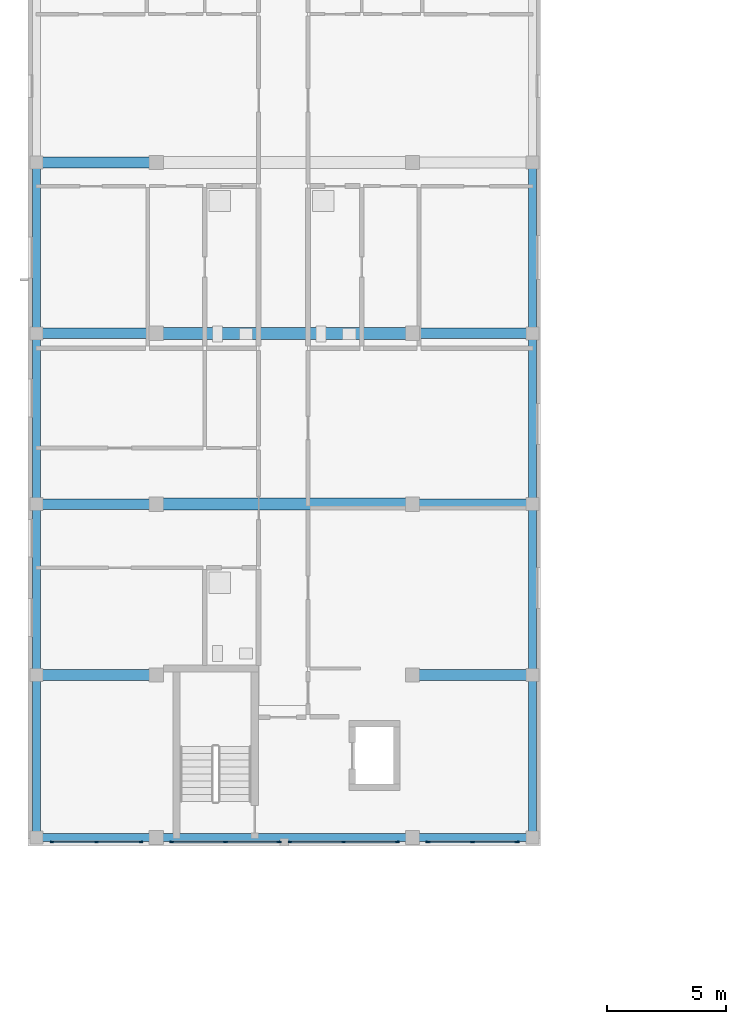
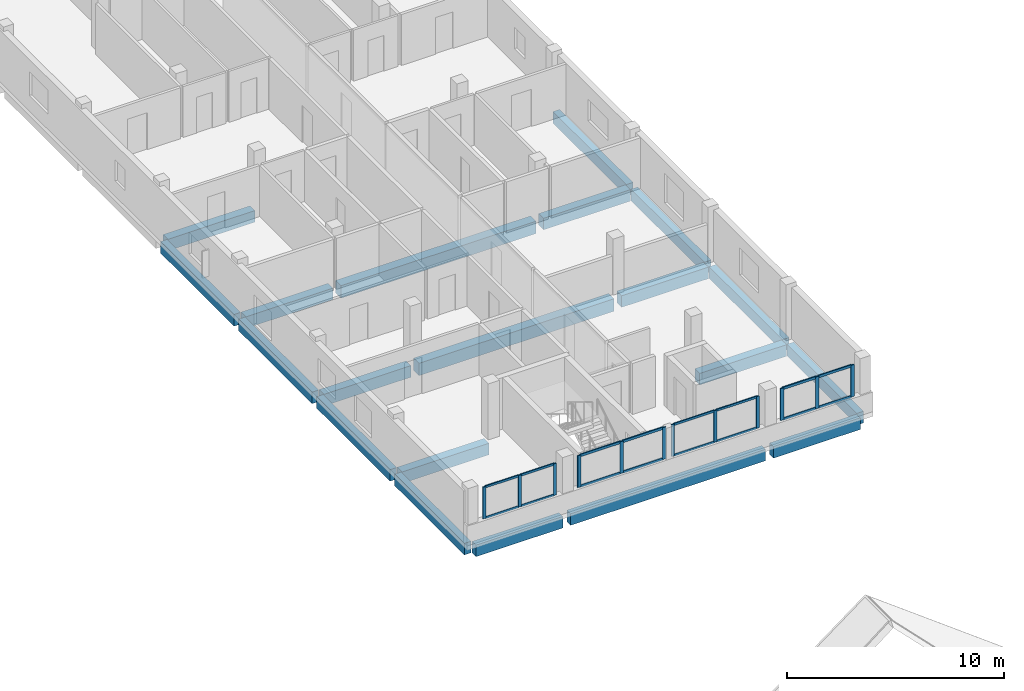
# One storey, part 4 of 35: 28 members, 20 beams, 4 elements without a shape of their own.
"""IFC4 building model written with IfcOpenShell, lengths in metres."""

from ifc_helpers import new_model, si_unit, derived_unit, direction, frame, origin, origin_2d, place, context, subcontext, project, spatial, rectangle, extrude, material, layer, layer_set, material_profile, profile_set, type_object, element, aggregate, save


model = new_model("IFC4")

# Units and contexts
model_context = context("Model", 3, precision=1e-05, world=origin(), true_north=direction((0.0, 1.0)))
body_context = subcontext(model_context, "Body", "Model", "MODEL_VIEW")
ifc_project = project(units=[si_unit("LENGTHUNIT", "METRE"), si_unit("AREAUNIT", "SQUARE_METRE"), si_unit("VOLUMEUNIT", "CUBIC_METRE"), si_unit("PLANEANGLEUNIT", "RADIAN"), si_unit("MASSUNIT", "GRAM", prefix="KILO"), derived_unit("THERMALTRANSMITTANCEUNIT", [(si_unit("MASSUNIT", "GRAM", prefix="KILO"), 1), (si_unit("TIMEUNIT", "SECOND"), -3), (si_unit("THERMODYNAMICTEMPERATUREUNIT", "KELVIN"), -1)])], contexts=[model_context])

# Site, building, storey
site_placement = place(None, origin())
site = spatial("IfcSite", under=ifc_project, at=site_placement, CompositionType="ELEMENT")
building_placement = place(site_placement, origin())
building = spatial("IfcBuilding", under=site, at=building_placement, Name="Ochrekiln Boulevard Commons", CompositionType="ELEMENT")
storey_placement = place(building_placement, frame((0.0, 0.0, 30.97509765625)))
storey = spatial("IfcBuildingStorey", under=building, at=storey_placement, Name="L09", CompositionType="ELEMENT", Elevation=30.97509765625)

# Beams
ifc_material_1 = material(Name="Concrete C35/45", Category="concrete")
ifc_material_profile_1 = material_profile(ifc_material_1, rectangle(XDim=0.449951171875, YDim=0.64990234375, at=origin_2d()), Name="RC-BM-450x650")
ifc_profile_set_1 = profile_set([ifc_material_profile_1], Name="Concrete C35/45")
beam_type_1 = type_object("IfcBeamType", Name="BM-RC-450x650", PredefinedType="BEAM", material=ifc_profile_set_1)
beam_1_placement = place(storey_placement, frame((0.56005859375, 75.60009765625, -0.585205078125), z_axis=(1.0, 0.0, 0.0), x_axis=(0.0, 1.0, 0.0)))
element("IfcBeam", 1, at=beam_1_placement, inside=storey, type_object=beam_type_1, Name="Block A L09 Beam B-4565 X4", PredefinedType="BEAM", context=body_context, shape_type="SweptSolid", body=[
    extrude(rectangle(XDim=0.449951171875, YDim=0.64990234375, at=origin_2d()), origin(), (0.0, 0.0, 1.0), 4.6298828125),
])
beam_2_placement = place(storey_placement, frame((16.409912109375, 75.60009765625, -0.585205078125), z_axis=(1.0, 0.0, 0.0), x_axis=(0.0, 1.0, 0.0)))
element("IfcBeam", 2, at=beam_2_placement, inside=storey, type_object=beam_type_1, Name="Block A L09 Beam B-4565 X5", PredefinedType="BEAM", context=body_context, shape_type="SweptSolid", body=[
    extrude(rectangle(XDim=0.449951171875, YDim=0.64990234375, at=origin_2d()), origin(), (0.0, 0.0, 1.0), 4.630126953125),
])
beam_3_placement = place(storey_placement, frame((0.56005859375, 82.800048828125, -0.585205078125), z_axis=(1.0, 0.0, 0.0), x_axis=(0.0, 1.0, 0.0)))
element("IfcBeam", 3, at=beam_3_placement, inside=storey, type_object=beam_type_1, Name="Block A L09 Beam B-4565 X6", PredefinedType="BEAM", context=body_context, shape_type="SweptSolid", body=[
    extrude(rectangle(XDim=0.449951171875, YDim=0.64990234375, at=origin_2d()), origin(), (0.0, 0.0, 1.0), 4.6298828125),
])
beam_4_placement = place(storey_placement, frame((16.409912109375, 82.800048828125, -0.585205078125), z_axis=(1.0, 0.0, 0.0), x_axis=(0.0, 1.0, 0.0)))
element("IfcBeam", 4, at=beam_4_placement, inside=storey, type_object=beam_type_1, Name="Block A L09 Beam B-4565 X8", PredefinedType="BEAM", context=body_context, shape_type="SweptSolid", body=[
    extrude(rectangle(XDim=0.449951171875, YDim=0.64990234375, at=origin_2d()), origin(), (0.0, 0.0, 1.0), 4.630126953125),
])
beam_5_placement = place(storey_placement, frame((0.56005859375, 90.0, -0.585205078125), z_axis=(1.0, 0.0, 0.0), x_axis=(0.0, 1.0, 0.0)))
element("IfcBeam", 5, at=beam_5_placement, inside=storey, type_object=beam_type_1, Name="Block A L09 Beam B-4565 X9", PredefinedType="BEAM", context=body_context, shape_type="SweptSolid", body=[
    extrude(rectangle(XDim=0.449951171875, YDim=0.64990234375, at=origin_2d()), origin(), (0.0, 0.0, 1.0), 4.6298828125),
])
beam_6_placement = place(storey_placement, frame((16.409912109375, 90.0, -0.585205078125), z_axis=(1.0, 0.0, 0.0), x_axis=(0.0, 1.0, 0.0)))
element("IfcBeam", 6, at=beam_6_placement, inside=storey, type_object=beam_type_1, Name="Block A L09 Beam B-4565 X11", PredefinedType="BEAM", context=body_context, shape_type="SweptSolid", body=[
    extrude(rectangle(XDim=0.449951171875, YDim=0.64990234375, at=origin_2d()), origin(), (0.0, 0.0, 1.0), 4.630126953125),
])
beam_7_placement = place(storey_placement, frame((0.56005859375, 97.199951171875, -0.585205078125), z_axis=(1.0, 0.0, 0.0), x_axis=(0.0, 1.0, 0.0)))
element("IfcBeam", 7, at=beam_7_placement, inside=storey, type_object=beam_type_1, Name="Block A L09 Beam B-4565 X12", PredefinedType="BEAM", context=body_context, shape_type="SweptSolid", body=[
    extrude(rectangle(XDim=0.449951171875, YDim=0.64990234375, at=origin_2d()), origin(), (0.0, 0.0, 1.0), 4.6298828125),
])
ifc_material_2 = material(Name="Concrete C40/50", Category="concrete")
ifc_material_profile_2 = material_profile(ifc_material_2, rectangle(XDim=0.5, YDim=0.699951171875, at=origin_2d()), Name="RC-BM-500x700")
ifc_profile_set_2 = profile_set([ifc_material_profile_2], Name="Concrete C40/50")
beam_type_2 = type_object("IfcBeamType", Name="BM-RC-500x700", PredefinedType="BEAM", material=ifc_profile_set_2)
for number, where, z_axis, x_axis, name in (
    (8, (5.610107421875, 82.800048828125, -0.610107421875), (1.0, 0.0, 0.0), (0.0, 1.0, 0.0), "Block A L09 Beam B-5070 X7"),
    (9, (5.610107421875, 90.0, -0.610107421875), (1.0, 0.0, 0.0), (0.0, 1.0, 0.0), "Block A L09 Beam B-5070 X10"),
):
    element("IfcBeam", number, at=place(storey_placement, frame(where, z_axis=z_axis, x_axis=x_axis)), inside=storey, type_object=beam_type_2, Name=name, PredefinedType="BEAM", context=body_context, shape_type="SweptSolid", body=[
        extrude(rectangle(XDim=0.5, YDim=0.699951171875, at=origin_2d()), origin(), (0.0, 0.0, 1.0), 10.3798828125),
    ])

# Curtain wall, members
ifc_material_3 = material(Name="Bronze-anodized extruded aluminium 6063-T6", Category="aluminium")
ifc_layer = layer(ifc_material_3, 0.172119140625)
ifc_layer_set = layer_set([ifc_layer], Name="Bronze-anodized extruded aluminium 6063-T6")
curtain_wall_type = type_object("IfcCurtainWallType", Name="CW-GABLE-A", PredefinedType="USERDEFINED", material=ifc_layer_set)
curtain_wall_1_placement = place(storey_placement, origin())
curtain_wall_1 = element("IfcCurtainWall", 10, at=curtain_wall_1_placement, inside=storey, type_object=curtain_wall_type, Name="Block A L09 Courtyard Glazed Gable Curtain Wall 1", ObjectType="GLAZED CURTAIN WALL", PredefinedType="USERDEFINED")
ifc_material_profile_3 = material_profile(ifc_material_3, rectangle(XDim=0.06005859375, YDim=0.159912109375, at=origin_2d()), Name="ALU-MUL-60x160")
ifc_profile_set_3 = profile_set([ifc_material_profile_3], Name="Bronze-anodized extruded aluminium 6063-T6")
member_type_1 = type_object("IfcMemberType", Name="CWM-60x160", PredefinedType="MULLION", material=ifc_profile_set_3)
member_1_placement = place(storey_placement, frame((1.0, 68.56005859375, 1.10986328125), z_axis=(0.0, 0.0, 1.0), x_axis=(0.0, 1.0, 0.0)))
member_1 = element("IfcMember", 11, at=member_1_placement, type_object=member_type_1, Name="CW-01 mullion 1", PredefinedType="MULLION", context=body_context, shape_type="SweptSolid", body=[
    extrude(rectangle(XDim=0.06005859375, YDim=0.159912109375, at=origin_2d()), origin(), (0.0, 0.0, 1.0), 1.7900390625),
])
member_2_placement = place(storey_placement, frame((2.875, 68.56005859375, 1.10986328125), z_axis=(0.0, 0.0, 1.0), x_axis=(0.0, 1.0, 0.0)))
member_2 = element("IfcMember", 12, at=member_2_placement, type_object=member_type_1, Name="CW-01 mullion 2", PredefinedType="MULLION", context=body_context, shape_type="SweptSolid", body=[
    extrude(rectangle(XDim=0.06005859375, YDim=0.159912109375, at=origin_2d()), origin(), (0.0, 0.0, 1.0), 1.7900390625),
])
member_3_placement = place(storey_placement, frame((4.75, 68.56005859375, 1.10986328125), z_axis=(0.0, 0.0, 1.0), x_axis=(0.0, 1.0, 0.0)))
member_3 = element("IfcMember", 13, at=member_3_placement, type_object=member_type_1, Name="CW-01 mullion 3", PredefinedType="MULLION", context=body_context, shape_type="SweptSolid", body=[
    extrude(rectangle(XDim=0.06005859375, YDim=0.159912109375, at=origin_2d()), origin(), (0.0, 0.0, 1.0), 1.7900390625),
])

curtain_wall_2_placement = place(storey_placement, origin())
curtain_wall_2 = element("IfcCurtainWall", 14, at=curtain_wall_2_placement, inside=storey, type_object=curtain_wall_type, Name="Block A L09 Courtyard Glazed Gable Curtain Wall 3", ObjectType="GLAZED CURTAIN WALL", PredefinedType="USERDEFINED")
member_4_placement = place(storey_placement, frame((11.030029296875, 68.56005859375, 1.10986328125), z_axis=(0.0, 0.0, 1.0), x_axis=(0.0, 1.0, 0.0)))
member_4 = element("IfcMember", 15, at=member_4_placement, type_object=member_type_1, Name="CW-01 mullion 1", PredefinedType="MULLION", context=body_context, shape_type="SweptSolid", body=[
    extrude(rectangle(XDim=0.06005859375, YDim=0.159912109375, at=origin_2d()), origin(), (0.0, 0.0, 1.0), 1.7900390625),
])
member_5_placement = place(storey_placement, frame((13.2900390625, 68.56005859375, 1.10986328125), z_axis=(0.0, 0.0, 1.0), x_axis=(0.0, 1.0, 0.0)))
member_5 = element("IfcMember", 16, at=member_5_placement, type_object=member_type_1, Name="CW-01 mullion 2", PredefinedType="MULLION", context=body_context, shape_type="SweptSolid", body=[
    extrude(rectangle(XDim=0.06005859375, YDim=0.159912109375, at=origin_2d()), origin(), (0.0, 0.0, 1.0), 1.7900390625),
])
member_6_placement = place(storey_placement, frame((15.550048828125, 68.56005859375, 1.10986328125), z_axis=(0.0, 0.0, 1.0), x_axis=(0.0, 1.0, 0.0)))
member_6 = element("IfcMember", 17, at=member_6_placement, type_object=member_type_1, Name="CW-01 mullion 3", PredefinedType="MULLION", context=body_context, shape_type="SweptSolid", body=[
    extrude(rectangle(XDim=0.06005859375, YDim=0.159912109375, at=origin_2d()), origin(), (0.0, 0.0, 1.0), 1.7900390625),
])

curtain_wall_3_placement = place(storey_placement, origin())
curtain_wall_3 = element("IfcCurtainWall", 18, at=curtain_wall_3_placement, inside=storey, type_object=curtain_wall_type, Name="Block A L09 Courtyard Glazed Gable Curtain Wall 2", ObjectType="GLAZED CURTAIN WALL", PredefinedType="USERDEFINED")
ifc_material_profile_4 = material_profile(ifc_material_3, rectangle(XDim=0.06494140625, YDim=0.179931640625, at=origin_2d()), Name="ALU-MUL-65x180")
ifc_profile_set_4 = profile_set([ifc_material_profile_4], Name="Bronze-anodized extruded aluminium 6063-T6")
member_type_2 = type_object("IfcMemberType", Name="CWM-65x180", PredefinedType="MULLION", material=ifc_profile_set_4)
member_7_placement = place(storey_placement, frame((6.052490234375, 68.56005859375, 1.10986328125), z_axis=(0.0, 0.0, 1.0), x_axis=(0.0, 1.0, 0.0)))
member_7 = element("IfcMember", 19, at=member_7_placement, type_object=member_type_2, Name="CW-01 mullion 1", PredefinedType="MULLION", context=body_context, shape_type="SweptSolid", body=[
    extrude(rectangle(XDim=0.06494140625, YDim=0.179931640625, at=origin_2d()), origin(), (0.0, 0.0, 1.0), 1.7900390625),
])
member_8_placement = place(storey_placement, frame((8.31005859375, 68.56005859375, 1.10986328125), z_axis=(0.0, 0.0, 1.0), x_axis=(0.0, 1.0, 0.0)))
member_8 = element("IfcMember", 20, at=member_8_placement, type_object=member_type_2, Name="CW-01 mullion 2", PredefinedType="MULLION", context=body_context, shape_type="SweptSolid", body=[
    extrude(rectangle(XDim=0.06494140625, YDim=0.179931640625, at=origin_2d()), origin(), (0.0, 0.0, 1.0), 1.7900390625),
])
member_9_placement = place(storey_placement, frame((10.5673828125, 68.56005859375, 1.10986328125), z_axis=(0.0, 0.0, 1.0), x_axis=(0.0, 1.0, 0.0)))
member_9 = element("IfcMember", 21, at=member_9_placement, type_object=member_type_2, Name="CW-01 mullion 3", PredefinedType="MULLION", context=body_context, shape_type="SweptSolid", body=[
    extrude(rectangle(XDim=0.06494140625, YDim=0.179931640625, at=origin_2d()), origin(), (0.0, 0.0, 1.0), 1.7900390625),
])

curtain_wall_4_placement = place(storey_placement, origin())
curtain_wall_4 = element("IfcCurtainWall", 22, at=curtain_wall_4_placement, inside=storey, type_object=curtain_wall_type, Name="Block A L09 Courtyard Glazed Gable Curtain Wall 4", ObjectType="GLAZED CURTAIN WALL", PredefinedType="USERDEFINED")
member_10_placement = place(storey_placement, frame((16.8525390625, 68.56005859375, 1.10986328125), z_axis=(0.0, 0.0, 1.0), x_axis=(0.0, 1.0, 0.0)))
member_10 = element("IfcMember", 23, at=member_10_placement, type_object=member_type_2, Name="CW-01 mullion 1", PredefinedType="MULLION", context=body_context, shape_type="SweptSolid", body=[
    extrude(rectangle(XDim=0.06494140625, YDim=0.179931640625, at=origin_2d()), origin(), (0.0, 0.0, 1.0), 1.7900390625),
])
member_11_placement = place(storey_placement, frame((18.72509765625, 68.56005859375, 1.10986328125), z_axis=(0.0, 0.0, 1.0), x_axis=(0.0, 1.0, 0.0)))
member_11 = element("IfcMember", 24, at=member_11_placement, type_object=member_type_2, Name="CW-01 mullion 2", PredefinedType="MULLION", context=body_context, shape_type="SweptSolid", body=[
    extrude(rectangle(XDim=0.06494140625, YDim=0.179931640625, at=origin_2d()), origin(), (0.0, 0.0, 1.0), 1.7900390625),
])
member_12_placement = place(storey_placement, frame((20.597412109375, 68.56005859375, 1.10986328125), z_axis=(0.0, 0.0, 1.0), x_axis=(0.0, 1.0, 0.0)))
member_12 = element("IfcMember", 25, at=member_12_placement, type_object=member_type_2, Name="CW-01 mullion 3", PredefinedType="MULLION", context=body_context, shape_type="SweptSolid", body=[
    extrude(rectangle(XDim=0.06494140625, YDim=0.179931640625, at=origin_2d()), origin(), (0.0, 0.0, 1.0), 1.7900390625),
])

# Member
ifc_material_profile_5 = material_profile(ifc_material_3, rectangle(XDim=0.06005859375, YDim=0.1201171875, at=origin_2d()), Name="ALU-TRN-60x120")
ifc_profile_set_5 = profile_set([ifc_material_profile_5], Name="Bronze-anodized extruded aluminium 6063-T6")
member_type_3 = type_object("IfcMemberType", Name="CWT-60x120", PredefinedType="USERDEFINED", material=ifc_profile_set_5)
member_13_placement = place(storey_placement, frame((1.030029296875, 68.56005859375, 1.139892578125), z_axis=(1.0, 0.0, 0.0), x_axis=(0.0, 1.0, 0.0)))
member_13 = element("IfcMember", 26, at=member_13_placement, type_object=member_type_3, Name="CW-01 transom 1.1", ObjectType="TRANSOM", PredefinedType="USERDEFINED", context=body_context, shape_type="SweptSolid", body=[
    extrude(rectangle(XDim=0.06005859375, YDim=0.1201171875, at=origin_2d()), origin(), (0.0, 0.0, 1.0), 1.81494140625),
])

member_14_placement = place(storey_placement, frame((1.030029296875, 68.56005859375, 2.869873046875), z_axis=(1.0, 0.0, 0.0), x_axis=(0.0, 1.0, 0.0)))
member_14 = element("IfcMember", 27, at=member_14_placement, type_object=member_type_3, Name="CW-01 transom 1.2", ObjectType="TRANSOM", PredefinedType="USERDEFINED", context=body_context, shape_type="SweptSolid", body=[
    extrude(rectangle(XDim=0.06005859375, YDim=0.1201171875, at=origin_2d()), origin(), (0.0, 0.0, 1.0), 1.81494140625),
])

member_15_placement = place(storey_placement, frame((2.905029296875, 68.56005859375, 1.139892578125), z_axis=(1.0, 0.0, 0.0), x_axis=(0.0, 1.0, 0.0)))
member_15 = element("IfcMember", 28, at=member_15_placement, type_object=member_type_3, Name="CW-01 transom 2.1", ObjectType="TRANSOM", PredefinedType="USERDEFINED", context=body_context, shape_type="SweptSolid", body=[
    extrude(rectangle(XDim=0.06005859375, YDim=0.1201171875, at=origin_2d()), origin(), (0.0, 0.0, 1.0), 1.81494140625),
])

member_16_placement = place(storey_placement, frame((2.905029296875, 68.56005859375, 2.869873046875), z_axis=(1.0, 0.0, 0.0), x_axis=(0.0, 1.0, 0.0)))
member_16 = element("IfcMember", 29, at=member_16_placement, type_object=member_type_3, Name="CW-01 transom 2.2", ObjectType="TRANSOM", PredefinedType="USERDEFINED", context=body_context, shape_type="SweptSolid", body=[
    extrude(rectangle(XDim=0.06005859375, YDim=0.1201171875, at=origin_2d()), origin(), (0.0, 0.0, 1.0), 1.81494140625),
])

aggregate(curtain_wall_1, [member_1, member_2, member_3, member_13, member_14, member_15, member_16])

member_17_placement = place(storey_placement, frame((11.06005859375, 68.56005859375, 1.139892578125), z_axis=(1.0, 0.0, 0.0), x_axis=(0.0, 1.0, 0.0)))
member_17 = element("IfcMember", 30, at=member_17_placement, type_object=member_type_3, Name="CW-01 transom 1.1", ObjectType="TRANSOM", PredefinedType="USERDEFINED", context=body_context, shape_type="SweptSolid", body=[
    extrude(rectangle(XDim=0.06005859375, YDim=0.1201171875, at=origin_2d()), origin(), (0.0, 0.0, 1.0), 2.199951171875),
])

member_18_placement = place(storey_placement, frame((11.06005859375, 68.56005859375, 2.869873046875), z_axis=(1.0, 0.0, 0.0), x_axis=(0.0, 1.0, 0.0)))
member_18 = element("IfcMember", 31, at=member_18_placement, type_object=member_type_3, Name="CW-01 transom 1.2", ObjectType="TRANSOM", PredefinedType="USERDEFINED", context=body_context, shape_type="SweptSolid", body=[
    extrude(rectangle(XDim=0.06005859375, YDim=0.1201171875, at=origin_2d()), origin(), (0.0, 0.0, 1.0), 2.199951171875),
])

member_19_placement = place(storey_placement, frame((13.320068359375, 68.56005859375, 1.139892578125), z_axis=(1.0, 0.0, 0.0), x_axis=(0.0, 1.0, 0.0)))
member_19 = element("IfcMember", 32, at=member_19_placement, type_object=member_type_3, Name="CW-01 transom 2.1", ObjectType="TRANSOM", PredefinedType="USERDEFINED", context=body_context, shape_type="SweptSolid", body=[
    extrude(rectangle(XDim=0.06005859375, YDim=0.1201171875, at=origin_2d()), origin(), (0.0, 0.0, 1.0), 2.199951171875),
])

member_20_placement = place(storey_placement, frame((13.320068359375, 68.56005859375, 2.869873046875), z_axis=(1.0, 0.0, 0.0), x_axis=(0.0, 1.0, 0.0)))
member_20 = element("IfcMember", 33, at=member_20_placement, type_object=member_type_3, Name="CW-01 transom 2.2", ObjectType="TRANSOM", PredefinedType="USERDEFINED", context=body_context, shape_type="SweptSolid", body=[
    extrude(rectangle(XDim=0.06005859375, YDim=0.1201171875, at=origin_2d()), origin(), (0.0, 0.0, 1.0), 2.199951171875),
])

aggregate(curtain_wall_2, [member_4, member_5, member_6, member_17, member_18, member_19, member_20])

ifc_material_profile_6 = material_profile(ifc_material_3, rectangle(XDim=0.06494140625, YDim=0.139892578125, at=origin_2d()), Name="ALU-TRN-65x140")
ifc_profile_set_6 = profile_set([ifc_material_profile_6], Name="Bronze-anodized extruded aluminium 6063-T6")
member_type_4 = type_object("IfcMemberType", Name="CWT-65x140", PredefinedType="USERDEFINED", material=ifc_profile_set_6)
member_21_placement = place(storey_placement, frame((6.0849609375, 68.56005859375, 1.142333984375), z_axis=(1.0, 0.0, 0.0), x_axis=(0.0, 1.0, 0.0)))
member_21 = element("IfcMember", 34, at=member_21_placement, type_object=member_type_4, Name="CW-01 transom 1.1", ObjectType="TRANSOM", PredefinedType="USERDEFINED", context=body_context, shape_type="SweptSolid", body=[
    extrude(rectangle(XDim=0.06494140625, YDim=0.139892578125, at=origin_2d()), origin(), (0.0, 0.0, 1.0), 2.192626953125),
])

member_22_placement = place(storey_placement, frame((6.0849609375, 68.56005859375, 2.867431640625), z_axis=(1.0, 0.0, 0.0), x_axis=(0.0, 1.0, 0.0)))
member_22 = element("IfcMember", 35, at=member_22_placement, type_object=member_type_4, Name="CW-01 transom 1.2", ObjectType="TRANSOM", PredefinedType="USERDEFINED", context=body_context, shape_type="SweptSolid", body=[
    extrude(rectangle(XDim=0.06494140625, YDim=0.139892578125, at=origin_2d()), origin(), (0.0, 0.0, 1.0), 2.192626953125),
])

member_23_placement = place(storey_placement, frame((8.342529296875, 68.56005859375, 1.142333984375), z_axis=(1.0, 0.0, 0.0), x_axis=(0.0, 1.0, 0.0)))
member_23 = element("IfcMember", 36, at=member_23_placement, type_object=member_type_4, Name="CW-01 transom 2.1", ObjectType="TRANSOM", PredefinedType="USERDEFINED", context=body_context, shape_type="SweptSolid", body=[
    extrude(rectangle(XDim=0.06494140625, YDim=0.139892578125, at=origin_2d()), origin(), (0.0, 0.0, 1.0), 2.1923828125),
])

member_24_placement = place(storey_placement, frame((8.342529296875, 68.56005859375, 2.867431640625), z_axis=(1.0, 0.0, 0.0), x_axis=(0.0, 1.0, 0.0)))
member_24 = element("IfcMember", 37, at=member_24_placement, type_object=member_type_4, Name="CW-01 transom 2.2", ObjectType="TRANSOM", PredefinedType="USERDEFINED", context=body_context, shape_type="SweptSolid", body=[
    extrude(rectangle(XDim=0.06494140625, YDim=0.139892578125, at=origin_2d()), origin(), (0.0, 0.0, 1.0), 2.1923828125),
])

aggregate(curtain_wall_3, [member_7, member_8, member_9, member_21, member_22, member_23, member_24])

member_25_placement = place(storey_placement, frame((16.885009765625, 68.56005859375, 1.142333984375), z_axis=(1.0, 0.0, 0.0), x_axis=(0.0, 1.0, 0.0)))
member_25 = element("IfcMember", 38, at=member_25_placement, type_object=member_type_4, Name="CW-01 transom 1.1", ObjectType="TRANSOM", PredefinedType="USERDEFINED", context=body_context, shape_type="SweptSolid", body=[
    extrude(rectangle(XDim=0.06494140625, YDim=0.139892578125, at=origin_2d()), origin(), (0.0, 0.0, 1.0), 1.807373046875),
])

member_26_placement = place(storey_placement, frame((16.885009765625, 68.56005859375, 2.867431640625), z_axis=(1.0, 0.0, 0.0), x_axis=(0.0, 1.0, 0.0)))
member_26 = element("IfcMember", 39, at=member_26_placement, type_object=member_type_4, Name="CW-01 transom 1.2", ObjectType="TRANSOM", PredefinedType="USERDEFINED", context=body_context, shape_type="SweptSolid", body=[
    extrude(rectangle(XDim=0.06494140625, YDim=0.139892578125, at=origin_2d()), origin(), (0.0, 0.0, 1.0), 1.807373046875),
])

member_27_placement = place(storey_placement, frame((18.757568359375, 68.56005859375, 1.142333984375), z_axis=(1.0, 0.0, 0.0), x_axis=(0.0, 1.0, 0.0)))
member_27 = element("IfcMember", 40, at=member_27_placement, type_object=member_type_4, Name="CW-01 transom 2.1", ObjectType="TRANSOM", PredefinedType="USERDEFINED", context=body_context, shape_type="SweptSolid", body=[
    extrude(rectangle(XDim=0.06494140625, YDim=0.139892578125, at=origin_2d()), origin(), (0.0, 0.0, 1.0), 1.807373046875),
])

member_28_placement = place(storey_placement, frame((18.757568359375, 68.56005859375, 2.867431640625), z_axis=(1.0, 0.0, 0.0), x_axis=(0.0, 1.0, 0.0)))
member_28 = element("IfcMember", 41, at=member_28_placement, type_object=member_type_4, Name="CW-01 transom 2.2", ObjectType="TRANSOM", PredefinedType="USERDEFINED", context=body_context, shape_type="SweptSolid", body=[
    extrude(rectangle(XDim=0.06494140625, YDim=0.139892578125, at=origin_2d()), origin(), (0.0, 0.0, 1.0), 1.807373046875),
])

aggregate(curtain_wall_4, [member_10, member_11, member_12, member_25, member_26, member_27, member_28])

# Beams
ifc_material_profile_7 = material_profile(ifc_material_2, rectangle(XDim=0.35009765625, YDim=0.64990234375, at=origin_2d()), Name="RC-SPN-350x650")
ifc_profile_set_7 = profile_set([ifc_material_profile_7], Name="Concrete C40/50")
beam_type_3 = type_object("IfcBeamType", Name="SPN-RC-350x650", PredefinedType="SPANDREL", material=ifc_profile_set_7)
beam_8_placement = place(storey_placement, frame((0.56005859375, 68.75, -0.585205078125), z_axis=(1.0, 0.0, 0.0), x_axis=(0.0, 1.0, 0.0)))
element("IfcBeam", 42, at=beam_8_placement, inside=storey, type_object=beam_type_3, Name="Block A L09 Beam SP-3565 X1", PredefinedType="SPANDREL", context=body_context, shape_type="SweptSolid", body=[
    extrude(rectangle(XDim=0.35009765625, YDim=0.64990234375, at=origin_2d()), origin(), (0.0, 0.0, 1.0), 4.6298828125),
])
beam_9_placement = place(storey_placement, frame((5.610107421875, 68.75, -0.585205078125), z_axis=(1.0, 0.0, 0.0), x_axis=(0.0, 1.0, 0.0)))
element("IfcBeam", 43, at=beam_9_placement, inside=storey, type_object=beam_type_3, Name="Block A L09 Beam SP-3565 X2", PredefinedType="SPANDREL", context=body_context, shape_type="SweptSolid", body=[
    extrude(rectangle(XDim=0.35009765625, YDim=0.64990234375, at=origin_2d()), origin(), (0.0, 0.0, 1.0), 10.3798828125),
])
beam_10_placement = place(storey_placement, frame((16.409912109375, 68.75, -0.585205078125), z_axis=(1.0, 0.0, 0.0), x_axis=(0.0, 1.0, 0.0)))
element("IfcBeam", 44, at=beam_10_placement, inside=storey, type_object=beam_type_3, Name="Block A L09 Beam SP-3565 X3", PredefinedType="SPANDREL", context=body_context, shape_type="SweptSolid", body=[
    extrude(rectangle(XDim=0.35009765625, YDim=0.64990234375, at=origin_2d()), origin(), (0.0, 0.0, 1.0), 4.630126953125),
])
beam_11_placement = place(storey_placement, frame((0.35009765625, 68.9599609375, -0.585205078125), z_axis=(0.0, 1.0, 0.0), x_axis=(-1.0, 0.0, 0.0)))
element("IfcBeam", 45, at=beam_11_placement, inside=storey, type_object=beam_type_3, Name="Block A L09 Beam SP-3565 Y23", PredefinedType="SPANDREL", context=body_context, shape_type="SweptSolid", body=[
    extrude(rectangle(XDim=0.35009765625, YDim=0.64990234375, at=origin_2d()), origin(), (0.0, 0.0, 1.0), 6.429931640625),
])
for number, where, z_axis, x_axis, name in (
    (46, (0.35009765625, 75.81005859375, -0.585205078125), (0.0, 1.0, 0.0), (-1.0, 0.0, 0.0), "Block A L09 Beam SP-3565 Y24"),
    (47, (0.35009765625, 83.010009765625, -0.585205078125), (0.0, 1.0, 0.0), (-1.0, 0.0, 0.0), "Block A L09 Beam SP-3565 Y25"),
    (48, (0.35009765625, 90.2099609375, -0.585205078125), (0.0, 1.0, 0.0), (-1.0, 0.0, 0.0), "Block A L09 Beam SP-3565 Y26"),
):
    element("IfcBeam", number, at=place(storey_placement, frame(where, z_axis=z_axis, x_axis=x_axis)), inside=storey, type_object=beam_type_3, Name=name, PredefinedType="SPANDREL", context=body_context, shape_type="SweptSolid", body=[
        extrude(rectangle(XDim=0.35009765625, YDim=0.64990234375, at=origin_2d()), origin(), (0.0, 0.0, 1.0), 6.780029296875),
    ])
beam_12_placement = place(storey_placement, frame((21.25, 68.9599609375, -0.585205078125), z_axis=(0.0, 1.0, 0.0), x_axis=(-1.0, 0.0, 0.0)))
element("IfcBeam", 49, at=beam_12_placement, inside=storey, type_object=beam_type_3, Name="Block A L09 Beam SP-3565 Y30", PredefinedType="SPANDREL", context=body_context, shape_type="SweptSolid", body=[
    extrude(rectangle(XDim=0.35009765625, YDim=0.64990234375, at=origin_2d()), origin(), (0.0, 0.0, 1.0), 6.429931640625),
])
for number, where, z_axis, x_axis, name in (
    (50, (21.25, 75.81005859375, -0.585205078125), (0.0, 1.0, 0.0), (-1.0, 0.0, 0.0), "Block A L09 Beam SP-3565 Y31"),
    (51, (21.25, 83.010009765625, -0.585205078125), (0.0, 1.0, 0.0), (-1.0, 0.0, 0.0), "Block A L09 Beam SP-3565 Y32"),
    (52, (21.25, 90.2099609375, -0.585205078125), (0.0, 1.0, 0.0), (-1.0, 0.0, 0.0), "Block A L09 Beam SP-3565 Y33"),
):
    element("IfcBeam", number, at=place(storey_placement, frame(where, z_axis=z_axis, x_axis=x_axis)), inside=storey, type_object=beam_type_3, Name=name, PredefinedType="SPANDREL", context=body_context, shape_type="SweptSolid", body=[
        extrude(rectangle(XDim=0.35009765625, YDim=0.64990234375, at=origin_2d()), origin(), (0.0, 0.0, 1.0), 6.780029296875),
    ])

save(model, "model.ifc")
